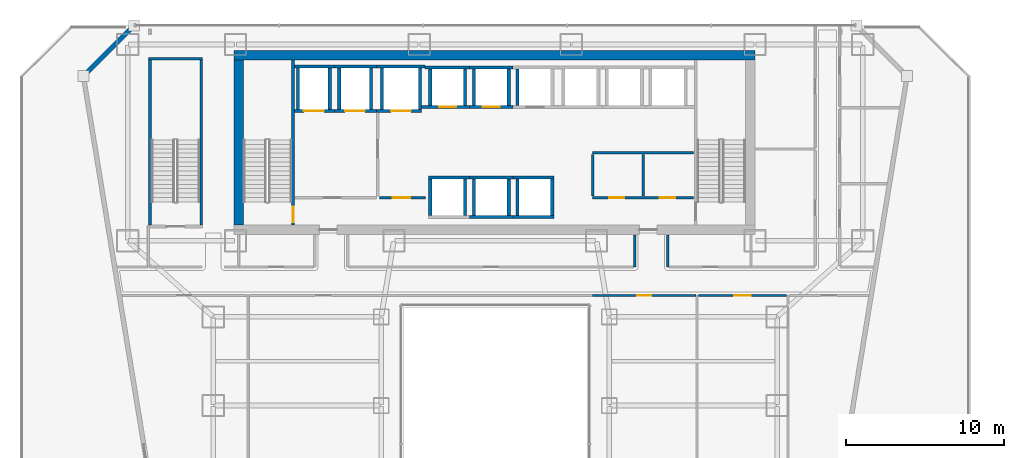
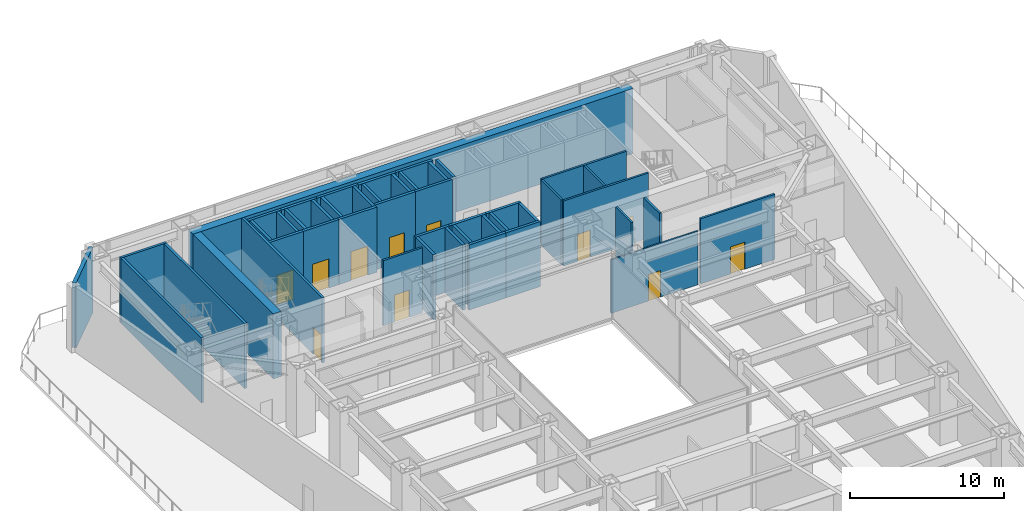
# One storey, part 22 of 29: 48 walls, 11 doors, 11 openings.
"""IFC4 building model written with IfcOpenShell, lengths in metres."""

from ifc_helpers import new_model, si_unit, direction, frame, frame_2d, origin, place, context, subcontext, project, spatial, rectangle, extrude, material, layer, layer_set, type_object, element, fill, save


model = new_model("IFC4")

# Units and contexts
model_context = context("Model", 3, precision=1e-05, world=origin(), true_north=direction((0.0, 1.0)))
body_context = subcontext(model_context, "Body", "Model", "MODEL_VIEW")
ifc_project = project(units=[si_unit("LENGTHUNIT", "METRE"), si_unit("AREAUNIT", "SQUARE_METRE"), si_unit("VOLUMEUNIT", "CUBIC_METRE"), si_unit("PLANEANGLEUNIT", "RADIAN"), si_unit("MASSUNIT", "GRAM", prefix="KILO")], contexts=[model_context])

# Site, building, storey
site_placement = place(None, origin())
site = spatial("IfcSite", under=ifc_project, at=site_placement, CompositionType="ELEMENT")
building_placement = place(site_placement, origin())
building = spatial("IfcBuilding", under=site, at=building_placement, Name="Saevonmaru Cultural Tower", CompositionType="ELEMENT")
storey_placement = place(building_placement, frame((0.0, 0.0, 27.60009765625)))
storey = spatial("IfcBuildingStorey", under=building, at=storey_placement, Name="L05", CompositionType="ELEMENT", Elevation=27.60009765625)

# Walls
ifc_material_1 = material(Name="Concrete C60/75", Category="concrete")
ifc_layer_1 = layer(ifc_material_1, 0.60009765625, Name="Concrete C60/75")
ifc_layer_set_1 = layer_set([ifc_layer_1], Name="Concrete C60/75")
wall_type_1 = type_object("IfcWallType", Name="WL-CORE-600", PredefinedType="SHEAR", material=ifc_layer_set_1)
wall_1_placement = place(storey_placement, frame((13.5, 54.10009765625, 0.0), z_axis=(0.0, 0.0, 1.0), x_axis=(1.0, 0.0, 0.0)))
element("IfcWall", 1, at=wall_1_placement, inside=storey, type_object=wall_type_1, Name="L05 Tower RC core shear wall N", PredefinedType="SHEAR", context=body_context, shape_type="SweptSolid", body=[
    extrude(rectangle(XDim=32.89990234375, YDim=0.60009765625, at=frame_2d((16.449951171875, 0.0))), origin(), (0.0, 0.0, 1.0), 5.14990234375),
])
wall_2_placement = place(storey_placement, frame((13.800048828125, 43.39990234375, 0.0), z_axis=(0.0, 0.0, 1.0), x_axis=(0.0, 1.0, 0.0)))
element("IfcWall", 2, at=wall_2_placement, inside=storey, type_object=wall_type_1, Name="L05 Tower RC core shear wall W", PredefinedType="SHEAR", context=body_context, shape_type="SweptSolid", body=[
    extrude(rectangle(XDim=10.400146484375, YDim=0.60009765625, at=frame_2d((5.2001953125, 0.0))), origin(), (0.0, 0.0, 1.0), 5.14990234375),
])

# Wall, opening, door
ifc_material_2 = material(Name="Gypsum Fireboard Partition", Category="gypsum")
ifc_layer_2 = layer(ifc_material_2, 0.14990234375, Name="Gypsum Fireboard Partition")
ifc_layer_set_2 = layer_set([ifc_layer_2], Name="Gypsum Fireboard Partition")
wall_type_2 = type_object("IfcWallType", Name="WL-CORE-PART-150", PredefinedType="PARTITIONING", material=ifc_layer_set_2)
wall_3_placement = place(storey_placement, frame((22.679931640625, 45.1201171875, 0.0), z_axis=(0.0, 0.0, 1.0), x_axis=(1.0, 0.0, 0.0)))
wall_3 = element("IfcWall", 3, at=wall_3_placement, inside=storey, type_object=wall_type_2, Name="L05 Service Lift Vestibule Wall", PredefinedType="PARTITIONING", context=body_context, shape_type="SweptSolid", body=[
    extrude(rectangle(XDim=2.920166015625, YDim=0.14990234375, at=frame_2d((1.4599609375, 0.0))), origin(), (0.0, 0.0, 1.0), 5.14990234375),
])
opening_1_placement = place(wall_3_placement, frame((0.85009765625, 0.0, 0.0)))
opening_1 = element("IfcOpeningElement", 4, at=opening_1_placement, cuts=wall_3, Name="Opening FD-2", PredefinedType="OPENING", context=body_context, shape_type="SweptSolid", body=[
    extrude(rectangle(XDim=1.10009765625, YDim=2.14990234375, at=frame_2d((0.550048828125, 1.074951171875))), frame((0.0, 0.0849609375, 0.0), z_axis=(0.0, -1.0, 0.0), x_axis=(1.0, 0.0, 0.0)), (0.0, 0.0, 1.0), 0.169921875),
])
ifc_material_3 = material(Name="Satin Bronze Anodised Aluminium", Category="aluminium")
door_type_1 = type_object("IfcDoorType", Name="DR-FD60-1100", OperationType="SINGLE_SWING_LEFT", PredefinedType="DOOR", material=ifc_material_3)
door_1_placement = place(opening_1_placement, origin())
door_1 = element("IfcDoor", 5, at=door_1_placement, inside=storey, type_object=door_type_1, Name="L05 Service Lift Vestibule Door", OperationType="SINGLE_SWING_LEFT", OverallHeight=2.14990234375, OverallWidth=1.10009765625, PredefinedType="DOOR", context=body_context, shape_type="SweptSolid", body=[
    extrude(rectangle(XDim=1.10009765625, YDim=2.14990234375, at=frame_2d((0.550048828125, 1.074951171875))), frame((0.0, 0.02490234375, 0.0), z_axis=(0.0, -1.0, 0.0), x_axis=(1.0, 0.0, 0.0)), (0.0, 0.0, 1.0), 0.050048828125),
])
fill(opening_1, door_1)

# Wall, openings, doors
wall_4_placement = place(storey_placement, frame((36.14990234375, 45.1201171875, 0.0), z_axis=(0.0, 0.0, 1.0), x_axis=(1.0, 0.0, 0.0)))
wall_4 = element("IfcWall", 6, at=wall_4_placement, inside=storey, type_object=wall_type_2, Name="L05 Core Cluster South Wall", PredefinedType="PARTITIONING", context=body_context, shape_type="SweptSolid", body=[
    extrude(rectangle(XDim=6.35009765625, YDim=0.14990234375, at=frame_2d((3.175048828125, 0.0))), origin(), (0.0, 0.0, 1.0), 5.14990234375),
])
opening_2_placement = place(wall_4_placement, frame((1.050048828125, 0.0, 0.0)))
opening_2 = element("IfcOpeningElement", 7, at=opening_2_placement, cuts=wall_4, Name="Opening FD-4", PredefinedType="OPENING", context=body_context, shape_type="SweptSolid", body=[
    extrude(rectangle(XDim=0.949951171875, YDim=2.14990234375, at=frame_2d((0.47509765625, 1.074951171875))), frame((0.0, 0.0849609375, 0.0), z_axis=(0.0, -1.0, 0.0), x_axis=(1.0, 0.0, 0.0)), (0.0, 0.0, 1.0), 0.169921875),
])
opening_3_placement = place(wall_4_placement, frame((4.25, 0.0, 0.0)))
opening_3 = element("IfcOpeningElement", 8, at=opening_3_placement, cuts=wall_4, Name="Opening FD-4", PredefinedType="OPENING", context=body_context, shape_type="SweptSolid", body=[
    extrude(rectangle(XDim=0.949951171875, YDim=2.14990234375, at=frame_2d((0.47509765625, 1.074951171875))), frame((0.0, 0.0849609375, 0.0), z_axis=(0.0, -1.0, 0.0), x_axis=(1.0, 0.0, 0.0)), (0.0, 0.0, 1.0), 0.169921875),
])
door_type_2 = type_object("IfcDoorType", Name="DR-FD60-950", OperationType="SINGLE_SWING_LEFT", PredefinedType="DOOR", material=ifc_material_3)
door_2_placement = place(opening_2_placement, origin())
door_2 = element("IfcDoor", 9, at=door_2_placement, inside=storey, type_object=door_type_2, Name="L05 BMS Control Room Door", OperationType="SINGLE_SWING_LEFT", OverallHeight=2.14990234375, OverallWidth=0.949951171875, PredefinedType="DOOR", context=body_context, shape_type="SweptSolid", body=[
    extrude(rectangle(XDim=0.949951171875, YDim=2.14990234375, at=frame_2d((0.47509765625, 1.074951171875))), frame((0.0, 0.02490234375, 0.0), z_axis=(0.0, -1.0, 0.0), x_axis=(1.0, 0.0, 0.0)), (0.0, 0.0, 1.0), 0.050048828125),
])
fill(opening_2, door_2)
door_3_placement = place(opening_3_placement, origin())
door_3 = element("IfcDoor", 10, at=door_3_placement, inside=storey, type_object=door_type_2, Name="L05 Fibre Node Plant Door", OperationType="SINGLE_SWING_LEFT", OverallHeight=2.14990234375, OverallWidth=0.949951171875, PredefinedType="DOOR", context=body_context, shape_type="SweptSolid", body=[
    extrude(rectangle(XDim=0.949951171875, YDim=2.14990234375, at=frame_2d((0.47509765625, 1.074951171875))), frame((0.0, 0.02490234375, 0.0), z_axis=(0.0, -1.0, 0.0), x_axis=(1.0, 0.0, 0.0)), (0.0, 0.0, 1.0), 0.050048828125),
])
fill(opening_3, door_3)

# Walls
wall_5_placement = place(storey_placement, frame((36.14990234375, 47.949951171875, 0.0), z_axis=(0.0, 0.0, 1.0), x_axis=(1.0, 0.0, 0.0)))
element("IfcWall", 11, at=wall_5_placement, inside=storey, type_object=wall_type_2, Name="L05 Core Cluster North Wall", PredefinedType="PARTITIONING", context=body_context, shape_type="SweptSolid", body=[
    extrude(rectangle(XDim=6.35009765625, YDim=0.14990234375, at=frame_2d((3.175048828125, 0.0))), origin(), (0.0, 0.0, 1.0), 5.14990234375),
])
for number, where, z_axis, x_axis, name in (
    (12, (36.14990234375, 45.219970703125, 0.0), (0.0, 0.0, 1.0), (0.0, 1.0, 0.0), "L05 Core Cluster West Wall"),
    (13, (39.35009765625, 45.219970703125, 0.0), (0.0, 0.0, 1.0), (0.0, 1.0, 0.0), "L05 Core Cluster Inner Split"),
):
    element("IfcWall", number, at=place(storey_placement, frame(where, z_axis=z_axis, x_axis=x_axis)), inside=storey, type_object=wall_type_2, Name=name, PredefinedType="PARTITIONING", context=body_context, shape_type="SweptSolid", body=[
        extrude(rectangle(XDim=2.630126953125, YDim=0.14990234375, at=frame_2d((1.31494140625, 0.0))), origin(), (0.0, 0.0, 1.0), 5.14990234375),
    ])
ifc_material_4 = material(Name="Granite-Clad Precast Concrete C40/50", Category="masonry")
ifc_layer_3 = layer(ifc_material_4, 0.280029296875, Name="Granite-Clad Precast Concrete C40/50")
ifc_layer_set_3 = layer_set([ifc_layer_3], Name="Granite-Clad Precast Concrete C40/50")
wall_type_3 = type_object("IfcWallType", Name="WL-EXT-SPANDREL-280", PredefinedType="STANDARD", material=ifc_layer_set_3)
wall_6_placement = place(storey_placement, frame((7.0869140625, 55.886962890625, 0.0), z_axis=(0.0, 0.0, 1.0), x_axis=(-0.707106781187, -0.707106781187, 0.0)))
element("IfcWall", 14, at=wall_6_placement, inside=storey, type_object=wall_type_3, Name="L05 Setback Terrace Portal Wall E11", PredefinedType="STANDARD", context=body_context, shape_type="SweptSolid", body=[
    extrude(rectangle(XDim=4.205810546875, YDim=0.280029296875, at=frame_2d((2.10302734375, 0.0))), origin(), (0.0, 0.0, 1.0), 5.14990234375),
])
ifc_layer_4 = layer(ifc_material_2, 0.14990234375, Name="Gypsum Fireboard Partition")
ifc_layer_set_4 = layer_set([ifc_layer_4], Name="Gypsum Fireboard Partition")
wall_type_4 = type_object("IfcWallType", Name="WL-PART-FIRE-150", PredefinedType="PARTITIONING", material=ifc_layer_set_4)
for number, where, z_axis, x_axis, name in (
    (15, (38.800048828125, 40.75, 0.0), (0.0, 0.0, 1.0), (0.0, 1.0, 0.0), "L05 Core Portal Side Wall E1"),
    (16, (40.89990234375, 40.75, 0.0), (0.0, 0.0, 1.0), (0.0, 1.0, 0.0), "L05 Core Portal Side Wall E2"),
):
    element("IfcWall", number, at=place(storey_placement, frame(where, z_axis=z_axis, x_axis=x_axis)), inside=storey, type_object=wall_type_4, Name=name, PredefinedType="PARTITIONING", context=body_context, shape_type="SweptSolid", body=[
        extrude(rectangle(XDim=2.030029296875, YDim=0.14990234375, at=frame_2d((1.01513671875, 0.0))), origin(), (0.0, 0.0, 1.0), 5.14990234375),
    ])

# Wall, opening, door
wall_7_placement = place(storey_placement, frame((42.827392578125, 38.949951171875, 0.0), z_axis=(0.0, 0.0, 1.0), x_axis=(1.0, 0.0, 0.0)))
wall_7 = element("IfcWall", 17, at=wall_7_placement, inside=storey, type_object=wall_type_4, Name="L05 Permanent Exhibition Gallery Corridor Wall", PredefinedType="PARTITIONING", context=body_context, shape_type="SweptSolid", body=[
    extrude(rectangle(XDim=5.55517578125, YDim=0.14990234375, at=frame_2d((2.777587890625, 0.0))), origin(), (0.0, 0.0, 1.0), 5.14990234375),
])
opening_4_placement = place(wall_7_placement, frame((2.251953125, 0.0, 0.0)))
opening_4 = element("IfcOpeningElement", 18, at=opening_4_placement, cuts=wall_7, Name="Opening ID-1", PredefinedType="OPENING", context=body_context, shape_type="SweptSolid", body=[
    extrude(rectangle(XDim=1.050048828125, YDim=2.14990234375, at=frame_2d((0.52490234375, 1.074951171875))), frame((0.0, 0.0849609375, 0.0), z_axis=(0.0, -1.0, 0.0), x_axis=(1.0, 0.0, 0.0)), (0.0, 0.0, 1.0), 0.169921875),
])
door_type_3 = type_object("IfcDoorType", Name="DR-INT-1050", OperationType="SINGLE_SWING_LEFT", PredefinedType="DOOR", material=ifc_material_3)
door_4_placement = place(opening_4_placement, origin())
door_4 = element("IfcDoor", 19, at=door_4_placement, inside=storey, type_object=door_type_3, Name="L05 Permanent Exhibition Gallery Door", OperationType="SINGLE_SWING_LEFT", OverallHeight=2.14990234375, OverallWidth=1.050048828125, PredefinedType="DOOR", context=body_context, shape_type="SweptSolid", body=[
    extrude(rectangle(XDim=1.050048828125, YDim=2.14990234375, at=frame_2d((0.52490234375, 1.074951171875))), frame((0.0, 0.02490234375, 0.0), z_axis=(0.0, -1.0, 0.0), x_axis=(1.0, 0.0, 0.0)), (0.0, 0.0, 1.0), 0.050048828125),
])
fill(opening_4, door_4)

ifc_layer_5 = layer(ifc_material_2, 0.1201171875, Name="Gypsum Fireboard Partition")
ifc_layer_set_5 = layer_set([ifc_layer_5], Name="Gypsum Fireboard Partition")
wall_type_5 = type_object("IfcWallType", Name="WL-PART-GYP-120", PredefinedType="PARTITIONING", material=ifc_layer_set_5)
wall_8_placement = place(storey_placement, frame((36.14990234375, 38.949951171875, 0.0), z_axis=(0.0, 0.0, 1.0), x_axis=(1.0, 0.0, 0.0)))
wall_8 = element("IfcWall", 20, at=wall_8_placement, inside=storey, type_object=wall_type_5, Name="L05 Editorial Fellows Office Corridor Wall", PredefinedType="PARTITIONING", context=body_context, shape_type="SweptSolid", body=[
    extrude(rectangle(XDim=6.502685546875, YDim=0.1201171875, at=frame_2d((3.25146484375, 0.0))), origin(), (0.0, 0.0, 1.0), 4.23486328125),
])
opening_5_placement = place(wall_8_placement, frame((2.801025390625, 0.0, 0.0)))
opening_5 = element("IfcOpeningElement", 21, at=opening_5_placement, cuts=wall_8, Name="Opening ID-2", PredefinedType="OPENING", context=body_context, shape_type="SweptSolid", body=[
    extrude(rectangle(XDim=0.89990234375, YDim=2.10009765625, at=frame_2d((0.449951171875, 1.050048828125))), frame((0.0, 0.070068359375, 0.0), z_axis=(0.0, -1.0, 0.0), x_axis=(1.0, 0.0, 0.0)), (0.0, 0.0, 1.0), 0.14013671875),
])
ifc_material_5 = material(Name="Acoustic Stained Oak Timber", Category="wood")
door_type_4 = type_object("IfcDoorType", Name="DR-INT-900", OperationType="SINGLE_SWING_RIGHT", PredefinedType="DOOR", material=ifc_material_5)
door_5_placement = place(opening_5_placement, origin())
door_5 = element("IfcDoor", 22, at=door_5_placement, inside=storey, type_object=door_type_4, Name="L05 Editorial Fellows Office Door", OperationType="SINGLE_SWING_RIGHT", OverallHeight=2.10009765625, OverallWidth=0.89990234375, PredefinedType="DOOR", context=body_context, shape_type="SweptSolid", body=[
    extrude(rectangle(XDim=0.89990234375, YDim=2.10009765625, at=frame_2d((0.449951171875, 1.050048828125))), frame((0.0, 0.02490234375, 0.0), z_axis=(0.0, -1.0, 0.0), x_axis=(1.0, 0.0, 0.0)), (0.0, 0.0, 1.0), 0.050048828125),
])
fill(opening_5, door_5)

ifc_material_6 = material(Name="Concrete C40/50", Category="concrete")
ifc_layer_6 = layer(ifc_material_6, 0.199951171875, Name="Concrete C40/50")
ifc_layer_set_6 = layer_set([ifc_layer_6], Name="Concrete C40/50")
wall_type_6 = type_object("IfcWallType", Name="WL-SHAFT-200", PredefinedType="SHEAR", material=ifc_layer_set_6)
wall_9_placement = place(storey_placement, frame((17.330078125, 50.60009765625, 0.0), z_axis=(0.0, 0.0, 1.0), x_axis=(1.0, 0.0, 0.0)))
wall_9 = element("IfcWall", 23, at=wall_9_placement, inside=storey, type_object=wall_type_6, Name="L05 Lift FFL-1 Hoistway Wall S", PredefinedType="SHEAR", context=body_context, shape_type="SweptSolid", body=[
    extrude(rectangle(XDim=2.52001953125, YDim=0.199951171875, at=frame_2d((1.260009765625, 0.0))), origin(), (0.0, 0.0, 1.0), 5.14990234375),
])
opening_6_placement = place(wall_9_placement, frame((0.594970703125, 0.0, 0.0)))
opening_6 = element("IfcOpeningElement", 24, at=opening_6_placement, cuts=wall_9, Name="Opening LD-2", PredefinedType="OPENING", context=body_context, shape_type="SweptSolid", body=[
    extrude(rectangle(XDim=1.25, YDim=2.300048828125, at=frame_2d((0.625, 1.14990234375))), frame((0.0, 0.10986328125, 0.0), z_axis=(0.0, -1.0, 0.0), x_axis=(1.0, 0.0, 0.0)), (0.0, 0.0, 1.0), 0.219970703125),
])
ifc_material_7 = material(Name="Stainless Steel 316", Category="steel")
door_type_5 = type_object("IfcDoorType", Name="DR-LIFT-1250", OperationType="SLIDING_TO_LEFT", PredefinedType="DOOR", material=ifc_material_7)
door_6_placement = place(opening_6_placement, origin())
door_6 = element("IfcDoor", 25, at=door_6_placement, inside=storey, type_object=door_type_5, Name="L05 Lift FFL-1 Sliding Landing Door", OperationType="SLIDING_TO_LEFT", OverallHeight=2.300048828125, OverallWidth=1.25, PredefinedType="DOOR", context=body_context, shape_type="SweptSolid", body=[
    extrude(rectangle(XDim=1.25, YDim=2.300048828125, at=frame_2d((0.625, 1.14990234375))), frame((0.0, 0.02490234375, 0.0), z_axis=(0.0, -1.0, 0.0), x_axis=(1.0, 0.0, 0.0)), (0.0, 0.0, 1.0), 0.050048828125),
])
fill(opening_6, door_6)

# Walls
wall_10_placement = place(storey_placement, frame((17.330078125, 53.39990234375, 0.0), z_axis=(0.0, 0.0, 1.0), x_axis=(1.0, 0.0, 0.0)))
element("IfcWall", 26, at=wall_10_placement, inside=storey, type_object=wall_type_6, Name="L05 Lift FFL-1 Hoistway Wall N", PredefinedType="SHEAR", context=body_context, shape_type="SweptSolid", body=[
    extrude(rectangle(XDim=2.52001953125, YDim=0.199951171875, at=frame_2d((1.260009765625, 0.0))), origin(), (0.0, 0.0, 1.0), 5.14990234375),
])
for number, where, z_axis, x_axis, name in (
    (27, (17.550048828125, 50.699951171875, 0.0), (0.0, 0.0, 1.0), (0.0, 1.0, 0.0), "L05 Lift FFL-1 Hoistway Wall W"),
    (28, (19.550048828125, 50.699951171875, 0.0), (0.0, 0.0, 1.0), (0.0, 1.0, 0.0), "L05 Lift FFL-1 Hoistway Wall E"),
):
    element("IfcWall", number, at=place(storey_placement, frame(where, z_axis=z_axis, x_axis=x_axis)), inside=storey, type_object=wall_type_6, Name=name, PredefinedType="SHEAR", context=body_context, shape_type="SweptSolid", body=[
        extrude(rectangle(XDim=2.60009765625, YDim=0.199951171875, at=frame_2d((1.300048828125, 0.0))), origin(), (0.0, 0.0, 1.0), 5.14990234375),
    ])

# Wall, opening, door
wall_11_placement = place(storey_placement, frame((19.85009765625, 50.60009765625, 0.0), z_axis=(0.0, 0.0, 1.0), x_axis=(1.0, 0.0, 0.0)))
wall_11 = element("IfcWall", 29, at=wall_11_placement, inside=storey, type_object=wall_type_6, Name="L05 Lift FFL-2 Hoistway Wall S", PredefinedType="SHEAR", context=body_context, shape_type="SweptSolid", body=[
    extrude(rectangle(XDim=2.64990234375, YDim=0.199951171875, at=frame_2d((1.324951171875, 0.0))), origin(), (0.0, 0.0, 1.0), 5.14990234375),
])
opening_7_placement = place(wall_11_placement, frame((0.675048828125, 0.0, 0.0)))
opening_7 = element("IfcOpeningElement", 30, at=opening_7_placement, cuts=wall_11, Name="Opening LD-2", PredefinedType="OPENING", context=body_context, shape_type="SweptSolid", body=[
    extrude(rectangle(XDim=1.25, YDim=2.300048828125, at=frame_2d((0.625, 1.14990234375))), frame((0.0, 0.10986328125, 0.0), z_axis=(0.0, -1.0, 0.0), x_axis=(1.0, 0.0, 0.0)), (0.0, 0.0, 1.0), 0.219970703125),
])
door_7_placement = place(opening_7_placement, origin())
door_7 = element("IfcDoor", 31, at=door_7_placement, inside=storey, type_object=door_type_5, Name="L05 Lift FFL-2 Sliding Landing Door", OperationType="SLIDING_TO_LEFT", OverallHeight=2.300048828125, OverallWidth=1.25, PredefinedType="DOOR", context=body_context, shape_type="SweptSolid", body=[
    extrude(rectangle(XDim=1.25, YDim=2.300048828125, at=frame_2d((0.625, 1.14990234375))), frame((0.0, 0.02490234375, 0.0), z_axis=(0.0, -1.0, 0.0), x_axis=(1.0, 0.0, 0.0)), (0.0, 0.0, 1.0), 0.050048828125),
])
fill(opening_7, door_7)

# Walls
wall_12_placement = place(storey_placement, frame((19.85009765625, 53.39990234375, 0.0), z_axis=(0.0, 0.0, 1.0), x_axis=(1.0, 0.0, 0.0)))
element("IfcWall", 32, at=wall_12_placement, inside=storey, type_object=wall_type_6, Name="L05 Lift FFL-2 Hoistway Wall N", PredefinedType="SHEAR", context=body_context, shape_type="SweptSolid", body=[
    extrude(rectangle(XDim=2.64990234375, YDim=0.199951171875, at=frame_2d((1.324951171875, 0.0))), origin(), (0.0, 0.0, 1.0), 5.14990234375),
])
for number, where, z_axis, x_axis, name in (
    (33, (20.14990234375, 50.699951171875, 0.0), (0.0, 0.0, 1.0), (0.0, 1.0, 0.0), "L05 Lift FFL-2 Hoistway Wall W"),
    (34, (22.14990234375, 50.699951171875, 0.0), (0.0, 0.0, 1.0), (0.0, 1.0, 0.0), "L05 Lift FFL-2 Hoistway Wall E"),
):
    element("IfcWall", number, at=place(storey_placement, frame(where, z_axis=z_axis, x_axis=x_axis)), inside=storey, type_object=wall_type_6, Name=name, PredefinedType="SHEAR", context=body_context, shape_type="SweptSolid", body=[
        extrude(rectangle(XDim=2.60009765625, YDim=0.199951171875, at=frame_2d((1.300048828125, 0.0))), origin(), (0.0, 0.0, 1.0), 5.14990234375),
    ])

# Wall, opening, door
wall_13_placement = place(storey_placement, frame((22.5, 50.60009765625, 0.0), z_axis=(0.0, 0.0, 1.0), x_axis=(1.0, 0.0, 0.0)))
wall_13 = element("IfcWall", 35, at=wall_13_placement, inside=storey, type_object=wall_type_6, Name="L05 Lift GL-1 Hoistway Wall S", PredefinedType="SHEAR", context=body_context, shape_type="SweptSolid", body=[
    extrude(rectangle(XDim=2.85009765625, YDim=0.199951171875, at=frame_2d((1.425048828125, 0.0))), origin(), (0.0, 0.0, 1.0), 5.14990234375),
])
opening_8_placement = place(wall_13_placement, frame((0.925048828125, 0.0, 0.0)))
opening_8 = element("IfcOpeningElement", 36, at=opening_8_placement, cuts=wall_13, Name="Opening LD-2", PredefinedType="OPENING", context=body_context, shape_type="SweptSolid", body=[
    extrude(rectangle(XDim=1.25, YDim=2.300048828125, at=frame_2d((0.625, 1.14990234375))), frame((0.0, 0.10986328125, 0.0), z_axis=(0.0, -1.0, 0.0), x_axis=(1.0, 0.0, 0.0)), (0.0, 0.0, 1.0), 0.219970703125),
])
door_8_placement = place(opening_8_placement, origin())
door_8 = element("IfcDoor", 37, at=door_8_placement, inside=storey, type_object=door_type_5, Name="L05 Lift GL-1 Sliding Landing Door", OperationType="SLIDING_TO_LEFT", OverallHeight=2.300048828125, OverallWidth=1.25, PredefinedType="DOOR", context=body_context, shape_type="SweptSolid", body=[
    extrude(rectangle(XDim=1.25, YDim=2.300048828125, at=frame_2d((0.625, 1.14990234375))), frame((0.0, 0.02490234375, 0.0), z_axis=(0.0, -1.0, 0.0), x_axis=(1.0, 0.0, 0.0)), (0.0, 0.0, 1.0), 0.050048828125),
])
fill(opening_8, door_8)

# Walls
wall_14_placement = place(storey_placement, frame((22.5, 53.39990234375, 0.0), z_axis=(0.0, 0.0, 1.0), x_axis=(1.0, 0.0, 0.0)))
element("IfcWall", 38, at=wall_14_placement, inside=storey, type_object=wall_type_6, Name="L05 Lift GL-1 Hoistway Wall N", PredefinedType="SHEAR", context=body_context, shape_type="SweptSolid", body=[
    extrude(rectangle(XDim=3.074951171875, YDim=0.199951171875, at=frame_2d((1.53759765625, 0.0))), origin(), (0.0, 0.0, 1.0), 5.14990234375),
])
for number, where, z_axis, x_axis, name in (
    (39, (22.85009765625, 50.699951171875, 0.0), (0.0, 0.0, 1.0), (0.0, 1.0, 0.0), "L05 Lift GL-1 Hoistway Wall W"),
    (40, (25.25, 50.699951171875, 0.0), (0.0, 0.0, 1.0), (0.0, 1.0, 0.0), "L05 Lift GL-1 Hoistway Wall E"),
):
    element("IfcWall", number, at=place(storey_placement, frame(where, z_axis=z_axis, x_axis=x_axis)), inside=storey, type_object=wall_type_6, Name=name, PredefinedType="SHEAR", context=body_context, shape_type="SweptSolid", body=[
        extrude(rectangle(XDim=2.60009765625, YDim=0.199951171875, at=frame_2d((1.300048828125, 0.0))), origin(), (0.0, 0.0, 1.0), 5.14990234375),
    ])

# Wall, opening, door
wall_15_placement = place(storey_placement, frame((25.35009765625, 50.85009765625, 0.0), z_axis=(0.0, 0.0, 1.0), x_axis=(1.0, 0.0, 0.0)))
wall_15 = element("IfcWall", 41, at=wall_15_placement, inside=storey, type_object=wall_type_6, Name="L05 Lift PL-L1 Hoistway Wall S", PredefinedType="SHEAR", context=body_context, shape_type="SweptSolid", body=[
    extrude(rectangle(XDim=3.02490234375, YDim=0.199951171875, at=frame_2d((1.512451171875, 0.0))), origin(), (0.0, 0.0, 1.0), 5.14990234375),
])
opening_9_placement = place(wall_15_placement, frame((1.10009765625, 0.0, 0.0)))
opening_9 = element("IfcOpeningElement", 42, at=opening_9_placement, cuts=wall_15, Name="Opening LD-1", PredefinedType="OPENING", context=body_context, shape_type="SweptSolid", body=[
    extrude(rectangle(XDim=1.10009765625, YDim=2.199951171875, at=frame_2d((0.550048828125, 1.10009765625))), frame((0.0, 0.10986328125, 0.0), z_axis=(0.0, -1.0, 0.0), x_axis=(1.0, 0.0, 0.0)), (0.0, 0.0, 1.0), 0.219970703125),
])
ifc_material_8 = material(Name="Satin Bronze Stainless Steel", Category="steel")
door_type_6 = type_object("IfcDoorType", Name="DR-LIFT-1100", OperationType="SLIDING_TO_LEFT", PredefinedType="DOOR", material=ifc_material_8)
door_9_placement = place(opening_9_placement, origin())
door_9 = element("IfcDoor", 43, at=door_9_placement, inside=storey, type_object=door_type_6, Name="L05 Lift PL-L1 Sliding Landing Door", OperationType="SLIDING_TO_LEFT", OverallHeight=2.199951171875, OverallWidth=1.10009765625, PredefinedType="DOOR", context=body_context, shape_type="SweptSolid", body=[
    extrude(rectangle(XDim=1.10009765625, YDim=2.199951171875, at=frame_2d((0.550048828125, 1.10009765625))), frame((0.0, 0.02490234375, 0.0), z_axis=(0.0, -1.0, 0.0), x_axis=(1.0, 0.0, 0.0)), (0.0, 0.0, 1.0), 0.050048828125),
])
fill(opening_9, door_9)

# Walls
wall_16_placement = place(storey_placement, frame((25.574951171875, 53.35009765625, 0.0), z_axis=(0.0, 0.0, 1.0), x_axis=(1.0, 0.0, 0.0)))
element("IfcWall", 44, at=wall_16_placement, inside=storey, type_object=wall_type_6, Name="L05 Lift PL-L1 Hoistway Wall N", PredefinedType="SHEAR", context=body_context, shape_type="SweptSolid", body=[
    extrude(rectangle(XDim=2.800048828125, YDim=0.199951171875, at=frame_2d((1.39990234375, 0.0))), origin(), (0.0, 0.0, 1.0), 5.14990234375),
])
for number, where, z_axis, x_axis, name in (
    (45, (25.89990234375, 50.949951171875, 0.0), (0.0, 0.0, 1.0), (0.0, 1.0, 0.0), "L05 Lift PL-L1 Hoistway Wall W"),
    (46, (28.10009765625, 50.949951171875, 0.0), (0.0, 0.0, 1.0), (0.0, 1.0, 0.0), "L05 Lift PL-L1 Hoistway Wall E"),
):
    element("IfcWall", number, at=place(storey_placement, frame(where, z_axis=z_axis, x_axis=x_axis)), inside=storey, type_object=wall_type_6, Name=name, PredefinedType="SHEAR", context=body_context, shape_type="SweptSolid", body=[
        extrude(rectangle(XDim=2.300048828125, YDim=0.199951171875, at=frame_2d((1.14990234375, 0.0))), origin(), (0.0, 0.0, 1.0), 5.14990234375),
    ])

# Wall, opening, door
wall_17_placement = place(storey_placement, frame((28.375, 50.85009765625, 0.0), z_axis=(0.0, 0.0, 1.0), x_axis=(1.0, 0.0, 0.0)))
wall_17 = element("IfcWall", 47, at=wall_17_placement, inside=storey, type_object=wall_type_6, Name="L05 Lift PL-L2 Hoistway Wall S", PredefinedType="SHEAR", context=body_context, shape_type="SweptSolid", body=[
    extrude(rectangle(XDim=2.75, YDim=0.199951171875, at=frame_2d((1.375, 0.0))), origin(), (0.0, 0.0, 1.0), 5.14990234375),
])
opening_10_placement = place(wall_17_placement, frame((0.824951171875, 0.0, 0.0)))
opening_10 = element("IfcOpeningElement", 48, at=opening_10_placement, cuts=wall_17, Name="Opening LD-1", PredefinedType="OPENING", context=body_context, shape_type="SweptSolid", body=[
    extrude(rectangle(XDim=1.10009765625, YDim=2.199951171875, at=frame_2d((0.550048828125, 1.10009765625))), frame((0.0, 0.10986328125, 0.0), z_axis=(0.0, -1.0, 0.0), x_axis=(1.0, 0.0, 0.0)), (0.0, 0.0, 1.0), 0.219970703125),
])
door_10_placement = place(opening_10_placement, origin())
door_10 = element("IfcDoor", 49, at=door_10_placement, inside=storey, type_object=door_type_6, Name="L05 Lift PL-L2 Sliding Landing Door", OperationType="SLIDING_TO_LEFT", OverallHeight=2.199951171875, OverallWidth=1.10009765625, PredefinedType="DOOR", context=body_context, shape_type="SweptSolid", body=[
    extrude(rectangle(XDim=1.10009765625, YDim=2.199951171875, at=frame_2d((0.550048828125, 1.10009765625))), frame((0.0, 0.02490234375, 0.0), z_axis=(0.0, -1.0, 0.0), x_axis=(1.0, 0.0, 0.0)), (0.0, 0.0, 1.0), 0.050048828125),
])
fill(opening_10, door_10)

# Walls
wall_18_placement = place(storey_placement, frame((28.375, 53.35009765625, 0.0), z_axis=(0.0, 0.0, 1.0), x_axis=(1.0, 0.0, 0.0)))
element("IfcWall", 50, at=wall_18_placement, inside=storey, type_object=wall_type_6, Name="L05 Lift PL-L2 Hoistway Wall N", PredefinedType="SHEAR", context=body_context, shape_type="SweptSolid", body=[
    extrude(rectangle(XDim=2.75, YDim=0.199951171875, at=frame_2d((1.375, 0.0))), origin(), (0.0, 0.0, 1.0), 5.14990234375),
])
for number, where, z_axis, x_axis, name in (
    (51, (28.64990234375, 50.949951171875, 0.0), (0.0, 0.0, 1.0), (0.0, 1.0, 0.0), "L05 Lift PL-L2 Hoistway Wall W"),
    (52, (30.85009765625, 50.949951171875, 0.0), (0.0, 0.0, 1.0), (0.0, 1.0, 0.0), "L05 Lift PL-L2 Hoistway Wall E"),
    (53, (31.39990234375, 50.949951171875, 0.0), (0.0, 0.0, 1.0), (0.0, 1.0, 0.0), "L05 Lift PL-L3 Hoistway Wall W"),
):
    element("IfcWall", number, at=place(storey_placement, frame(where, z_axis=z_axis, x_axis=x_axis)), inside=storey, type_object=wall_type_6, Name=name, PredefinedType="SHEAR", context=body_context, shape_type="SweptSolid", body=[
        extrude(rectangle(XDim=2.300048828125, YDim=0.199951171875, at=frame_2d((1.14990234375, 0.0))), origin(), (0.0, 0.0, 1.0), 5.14990234375),
    ])
wall_19_placement = place(storey_placement, frame((25.800048828125, 46.39990234375, 0.0), z_axis=(0.0, 0.0, 1.0), x_axis=(1.0, 0.0, 0.0)))
element("IfcWall", 54, at=wall_19_placement, inside=storey, type_object=wall_type_6, Name="L05 Lift PL-M1 Hoistway Wall N", PredefinedType="SHEAR", context=body_context, shape_type="SweptSolid", body=[
    extrude(rectangle(XDim=2.574951171875, YDim=0.199951171875, at=frame_2d((1.28759765625, 0.0))), origin(), (0.0, 0.0, 1.0), 5.14990234375),
])
for number, where, z_axis, x_axis, name in (
    (55, (25.89990234375, 44.0, 0.0), (0.0, 0.0, 1.0), (0.0, 1.0, 0.0), "L05 Lift PL-M1 Hoistway Wall W"),
    (56, (28.10009765625, 44.0, 0.0), (0.0, 0.0, 1.0), (0.0, 1.0, 0.0), "L05 Lift PL-M1 Hoistway Wall E"),
):
    element("IfcWall", number, at=place(storey_placement, frame(where, z_axis=z_axis, x_axis=x_axis)), inside=storey, type_object=wall_type_6, Name=name, PredefinedType="SHEAR", context=body_context, shape_type="SweptSolid", body=[
        extrude(rectangle(XDim=2.300048828125, YDim=0.199951171875, at=frame_2d((1.14990234375, 0.0))), origin(), (0.0, 0.0, 1.0), 5.14990234375),
    ])
for number, where, z_axis, x_axis, name in (
    (57, (28.375, 43.89990234375, 0.0), (0.0, 0.0, 1.0), (1.0, 0.0, 0.0), "L05 Lift PL-M2 Hoistway Wall S"),
    (58, (28.375, 46.39990234375, 0.0), (0.0, 0.0, 1.0), (1.0, 0.0, 0.0), "L05 Lift PL-M2 Hoistway Wall N"),
):
    element("IfcWall", number, at=place(storey_placement, frame(where, z_axis=z_axis, x_axis=x_axis)), inside=storey, type_object=wall_type_6, Name=name, PredefinedType="SHEAR", context=body_context, shape_type="SweptSolid", body=[
        extrude(rectangle(XDim=2.75, YDim=0.199951171875, at=frame_2d((1.375, 0.0))), origin(), (0.0, 0.0, 1.0), 5.14990234375),
    ])
for number, where, z_axis, x_axis, name in (
    (59, (28.64990234375, 44.0, 0.0), (0.0, 0.0, 1.0), (0.0, 1.0, 0.0), "L05 Lift PL-M2 Hoistway Wall W"),
    (60, (30.85009765625, 44.0, 0.0), (0.0, 0.0, 1.0), (0.0, 1.0, 0.0), "L05 Lift PL-M2 Hoistway Wall E"),
):
    element("IfcWall", number, at=place(storey_placement, frame(where, z_axis=z_axis, x_axis=x_axis)), inside=storey, type_object=wall_type_6, Name=name, PredefinedType="SHEAR", context=body_context, shape_type="SweptSolid", body=[
        extrude(rectangle(XDim=2.300048828125, YDim=0.199951171875, at=frame_2d((1.14990234375, 0.0))), origin(), (0.0, 0.0, 1.0), 5.14990234375),
    ])
for number, where, z_axis, x_axis, name in (
    (61, (31.125, 43.89990234375, 0.0), (0.0, 0.0, 1.0), (1.0, 0.0, 0.0), "L05 Lift PL-M3 Hoistway Wall S"),
    (62, (31.125, 46.39990234375, 0.0), (0.0, 0.0, 1.0), (1.0, 0.0, 0.0), "L05 Lift PL-M3 Hoistway Wall N"),
):
    element("IfcWall", number, at=place(storey_placement, frame(where, z_axis=z_axis, x_axis=x_axis)), inside=storey, type_object=wall_type_6, Name=name, PredefinedType="SHEAR", context=body_context, shape_type="SweptSolid", body=[
        extrude(rectangle(XDim=2.574951171875, YDim=0.199951171875, at=frame_2d((1.28759765625, 0.0))), origin(), (0.0, 0.0, 1.0), 5.14990234375),
    ])
for number, where, z_axis, x_axis, name in (
    (63, (31.39990234375, 44.0, 0.0), (0.0, 0.0, 1.0), (0.0, 1.0, 0.0), "L05 Lift PL-M3 Hoistway Wall W"),
    (64, (33.60009765625, 44.0, 0.0), (0.0, 0.0, 1.0), (0.0, 1.0, 0.0), "L05 Lift PL-M3 Hoistway Wall E"),
):
    element("IfcWall", number, at=place(storey_placement, frame(where, z_axis=z_axis, x_axis=x_axis)), inside=storey, type_object=wall_type_6, Name=name, PredefinedType="SHEAR", context=body_context, shape_type="SweptSolid", body=[
        extrude(rectangle(XDim=2.300048828125, YDim=0.199951171875, at=frame_2d((1.14990234375, 0.0))), origin(), (0.0, 0.0, 1.0), 5.14990234375),
    ])

# Wall, opening, door
ifc_layer_7 = layer(ifc_material_6, 0.179931640625, Name="Concrete C40/50")
ifc_layer_set_7 = layer_set([ifc_layer_7], Name="Concrete C40/50")
wall_type_7 = type_object("IfcWallType", Name="WL-STSHAFT-180", PredefinedType="SHEAR", material=ifc_layer_set_7)
wall_20_placement = place(storey_placement, frame((17.239990234375, 43.39990234375, 0.0), z_axis=(0.0, 0.0, 1.0), x_axis=(0.0, 1.0, 0.0)))
wall_20 = element("IfcWall", 65, at=wall_20_placement, inside=storey, type_object=wall_type_7, Name="L05 Stair ST-1 Structural Shaft Wall 1", PredefinedType="SHEAR", context=body_context, shape_type="SweptSolid", body=[
    extrude(rectangle(XDim=10.400146484375, YDim=0.179931640625, at=frame_2d((5.2001953125, 0.0))), origin(), (0.0, 0.0, 1.0), 5.14990234375),
])
opening_11_placement = place(wall_20_placement, frame((0.159912109375, 0.0, 0.0)))
opening_11 = element("IfcOpeningElement", 66, at=opening_11_placement, cuts=wall_20, Name="Opening FD-3", PredefinedType="OPENING", context=body_context, shape_type="SweptSolid", body=[
    extrude(rectangle(XDim=1.0, YDim=2.14990234375, at=frame_2d((0.5, 1.074951171875))), frame((0.0, 0.10009765625, 0.0), z_axis=(0.0, -1.0, 0.0), x_axis=(1.0, 0.0, 0.0)), (0.0, 0.0, 1.0), 0.199951171875),
])
door_type_7 = type_object("IfcDoorType", Name="DR-FD60-1000", OperationType="SINGLE_SWING_RIGHT", PredefinedType="DOOR", material=ifc_material_3)
door_11_placement = place(opening_11_placement, origin())
door_11 = element("IfcDoor", 67, at=door_11_placement, inside=storey, type_object=door_type_7, Name="L05 Protected Stair ST-1 Fire Door", OperationType="SINGLE_SWING_RIGHT", OverallHeight=2.14990234375, OverallWidth=1.0, PredefinedType="DOOR", context=body_context, shape_type="SweptSolid", body=[
    extrude(rectangle(XDim=1.0, YDim=2.14990234375, at=frame_2d((0.5, 1.074951171875))), frame((0.0, 0.02490234375, 0.0), z_axis=(0.0, -1.0, 0.0), x_axis=(1.0, 0.0, 0.0)), (0.0, 0.0, 1.0), 0.050048828125),
])
fill(opening_11, door_11)

# Walls
wall_21_placement = place(storey_placement, frame((11.43994140625, 43.39990234375, 0.0), z_axis=(0.0, 0.0, 1.0), x_axis=(0.0, 1.0, 0.0)))
element("IfcWall", 68, at=wall_21_placement, inside=storey, type_object=wall_type_7, Name="L05 Stair ST-3 Structural Shaft Wall 2", PredefinedType="SHEAR", context=body_context, shape_type="SweptSolid", body=[
    extrude(rectangle(XDim=10.400146484375, YDim=0.179931640625, at=frame_2d((5.2001953125, 0.0))), origin(), (0.0, 0.0, 1.0), 5.14990234375),
])
wall_22_placement = place(storey_placement, frame((11.530029296875, 53.889892578125, 0.0), z_axis=(0.0, 0.0, 1.0), x_axis=(-1.0, 0.0, 0.0)))
element("IfcWall", 69, at=wall_22_placement, inside=storey, type_object=wall_type_7, Name="L05 Stair ST-3 Structural Shaft Wall 3", PredefinedType="SHEAR", context=body_context, shape_type="SweptSolid", body=[
    extrude(rectangle(XDim=3.409912109375, YDim=0.179931640625, at=frame_2d((1.705078125, 0.0))), origin(), (0.0, 0.0, 1.0), 5.14990234375),
])
wall_23_placement = place(storey_placement, frame((8.2099609375, 53.800048828125, 0.0), z_axis=(0.0, 0.0, 1.0), x_axis=(0.0, -1.0, 0.0)))
element("IfcWall", 70, at=wall_23_placement, inside=storey, type_object=wall_type_7, Name="L05 Stair ST-3 Structural Shaft Wall 4", PredefinedType="SHEAR", context=body_context, shape_type="SweptSolid", body=[
    extrude(rectangle(XDim=10.400146484375, YDim=0.179931640625, at=frame_2d((5.2001953125, 0.0))), origin(), (0.0, 0.0, 1.0), 5.14990234375),
])

save(model, "model.ifc")
